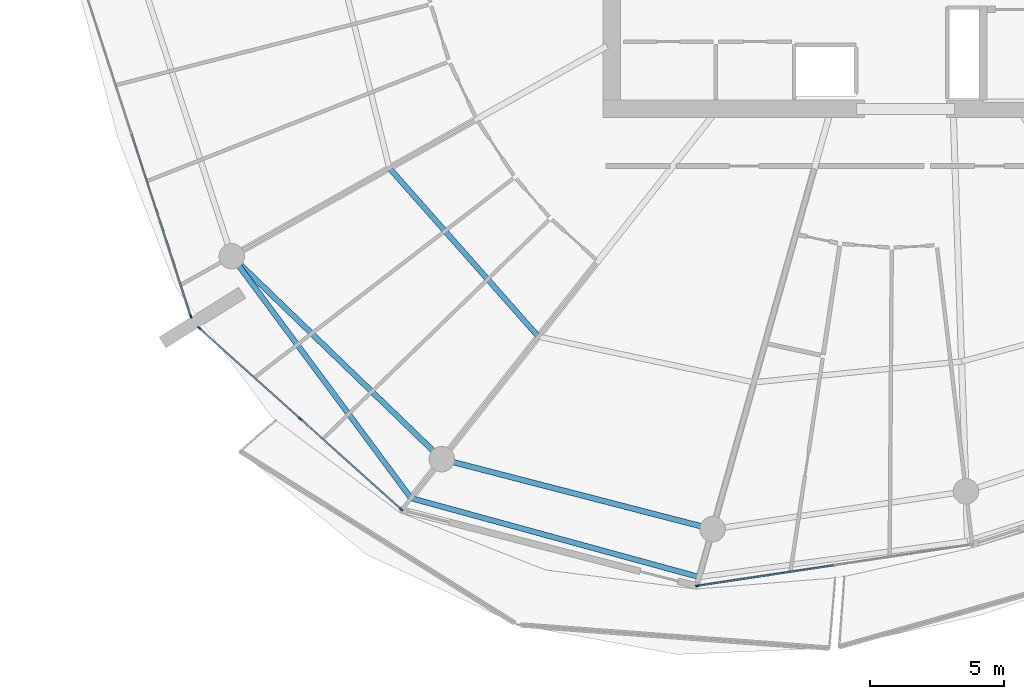
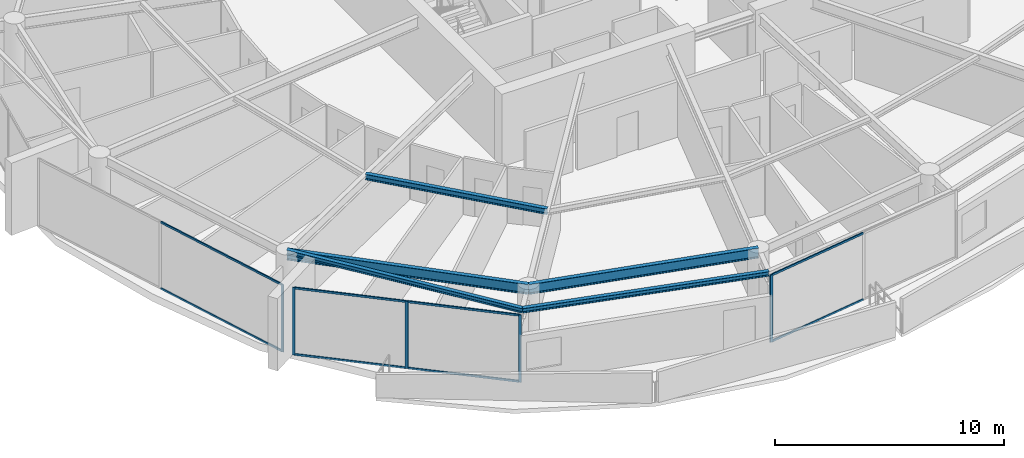
# One storey, part 6 of 30: 13 members, 5 beams, 3 elements without a shape of their own.
"""IFC4 building model written with IfcOpenShell, lengths in metres."""

import ifcopenshell
import ifcopenshell.guid

model = None  # the IFC model being written
_history = None  # IfcOwnerHistory: only IFC2X3 demands one
_inside = {}  # id of a spatial element -> (the spatial element, [elements in it])
_under = {}  # id of a project, library or spatial element -> (it, [spatial elements below it])
_declared = {}  # id of a project -> (the project, [libraries it declares])
_typed = {}  # id of a type object -> (the type object, [elements of that type])
_made_of = {}  # id of a material, layer set ... -> (it, [elements and type objects made of it])


def new_model(schema):
    """Start an empty IFC model of exactly this schema.

    Asked for "IFC4X3", IfcOpenShell would pick the latest addendum, in which some entities
    have other attributes; the version numbers below select the first issue.
    IFC2X3 requires an IfcOwnerHistory on every rooted entity: one is made here for all.
    """
    global model, _history
    if schema == "IFC4X3":
        model = ifcopenshell.file(schema_version=(4, 3, 0, 0))
    else:
        model = ifcopenshell.file(schema=schema)
    _inside.clear()
    _under.clear()
    _declared.clear()
    _typed.clear()
    _made_of.clear()
    _history = None
    if model.schema == "IFC2X3":
        org = make("IfcOrganization", Name="unknown")
        user = make(
            "IfcPersonAndOrganization",
            ThePerson=make("IfcPerson", FamilyName="unknown"),
            TheOrganization=org,
        )
        app = make(
            "IfcApplication",
            ApplicationDeveloper=org,
            Version="unknown",
            ApplicationFullName="unknown",
            ApplicationIdentifier="unknown",
        )
        _history = make(
            "IfcOwnerHistory",
            OwningUser=user,
            OwningApplication=app,
            ChangeAction="ADDED",
            CreationDate=0,
        )
    return model


def make(cls, **values):
    """One entity of the class cls with the attributes given. An attribute that is None is left unset."""
    return model.create_entity(
        cls, **{name: value for name, value in values.items() if value is not None}
    )


def rooted(cls, **values):
    """An entity with a GlobalId (a new one), such as an element, a storey or a relation."""
    return make(cls, GlobalId=ifcopenshell.guid.new(), OwnerHistory=_history, **values)


def si_unit(unit_type, name, prefix=None):
    """IfcSIUnit, for example si_unit("LENGTHUNIT", "METRE", prefix="MILLI")."""
    return make("IfcSIUnit", UnitType=unit_type, Prefix=prefix, Name=name)


def assignment(units):
    """IfcUnitAssignment: the units of a project."""
    return None if units is None else make("IfcUnitAssignment", Units=units)


def point(xyz):
    """IfcCartesianPoint."""
    return None if xyz is None else make("IfcCartesianPoint", Coordinates=xyz)


def direction(xyz):
    """IfcDirection."""
    return None if xyz is None else make("IfcDirection", DirectionRatios=xyz)


def frame(location, z_axis=None, x_axis=None):
    """IfcAxis2Placement3D, a coordinate frame: its origin and axes. An axis left out is left unset."""
    return make(
        "IfcAxis2Placement3D",
        Location=point(location),
        Axis=direction(z_axis),
        RefDirection=direction(x_axis),
    )


def frame_2d(location, x_axis=None):
    """IfcAxis2Placement2D, a coordinate frame in the plane: its origin and x axis."""
    return make(
        "IfcAxis2Placement2D", Location=point(location), RefDirection=direction(x_axis)
    )


def origin():
    """The frame at (0, 0, 0) with its axes left unset."""
    return frame((0.0, 0.0, 0.0))


def origin_2d():
    """The frame at (0, 0) in the plane with its x axis left unset."""
    return frame_2d((0.0, 0.0))


def place(relative_to, where):
    """IfcLocalPlacement: puts the frame where relative to a parent placement (None: the world)."""
    return make(
        "IfcLocalPlacement", PlacementRelTo=relative_to, RelativePlacement=where
    )


def context(
    kind, dimensions, precision=None, world=None, true_north=None, identifier=None
):
    """IfcGeometricRepresentationContext, for example the 3D "Model" context."""
    return make(
        "IfcGeometricRepresentationContext",
        ContextIdentifier=identifier,
        ContextType=kind,
        CoordinateSpaceDimension=dimensions,
        Precision=precision,
        WorldCoordinateSystem=world,
        TrueNorth=true_north,
    )


def subcontext(parent, identifier, kind, view, scale=None):
    """IfcGeometricRepresentationSubContext, for example "Body" below "Model"."""
    return make(
        "IfcGeometricRepresentationSubContext",
        ContextIdentifier=identifier,
        ContextType=kind,
        ParentContext=parent,
        TargetScale=scale,
        TargetView=view,
    )


def project(units=None, contexts=None):
    """IfcProject with its units and contexts."""
    return rooted(
        "IfcProject",
        Name="project",
        RepresentationContexts=contexts,
        UnitsInContext=assignment(units),
    )


def spatial(cls, under=None, at=None, **own):
    """A site, building, storey or space (cls), placed at a placement, below another one or the project."""
    s = rooted(cls, ObjectPlacement=at, **own)
    if under is not None:
        _under.setdefault(under.id(), (under, []))[1].append(s)
    return s


def profile(cls, at=None, kind="AREA", **sizes):
    """A parametric profile (cls). Its sizes go by their IFC names, for example OverallWidth=200.0."""
    return make(cls, ProfileType=kind, Position=at, **sizes)


def rectangle(**sizes):
    """IfcRectangleProfileDef."""
    return profile("IfcRectangleProfileDef", **sizes)


def i_section(**sizes):
    """IfcIShapeProfileDef."""
    return profile("IfcIShapeProfileDef", **sizes)


def extrude(swept, where, along, depth):
    """IfcExtrudedAreaSolid: the profile swept, set in the frame where, extruded along a direction by depth."""
    return make(
        "IfcExtrudedAreaSolid",
        SweptArea=swept,
        Position=where,
        ExtrudedDirection=direction(along),
        Depth=depth,
    )


def shape(context_of_items, identifier, shape_type, items):
    """IfcShapeRepresentation: the items that make up one representation, for example the "Body"."""
    return make(
        "IfcShapeRepresentation",
        ContextOfItems=context_of_items,
        RepresentationIdentifier=identifier,
        RepresentationType=shape_type,
        Items=items,
    )


def material(Name=None, Category=None):
    """IfcMaterial."""
    return make("IfcMaterial", Name=Name, Category=Category)


def layer(
    of_material, thickness, ventilated=None, Name=None, Category=None, Priority=None
):
    """IfcMaterialLayer: one layer of a wall or slab, of a material (None: an air gap)."""
    return make(
        "IfcMaterialLayer",
        Material=of_material,
        LayerThickness=thickness,
        IsVentilated=ventilated,
        Name=Name,
        Category=Category,
        Priority=Priority,
    )


def layer_set(layers, Name=None):
    """IfcMaterialLayerSet."""
    return make("IfcMaterialLayerSet", MaterialLayers=layers, LayerSetName=Name)


def material_profile(
    of_material, cross_section, Name=None, Category=None, Priority=None
):
    """IfcMaterialProfile: a cross section and its material."""
    return make(
        "IfcMaterialProfile",
        Name=Name,
        Material=of_material,
        Profile=cross_section,
        Priority=Priority,
        Category=Category,
    )


def profile_set(profiles, Name=None, composite=None):
    """IfcMaterialProfileSet."""
    return make(
        "IfcMaterialProfileSet",
        Name=Name,
        MaterialProfiles=profiles,
        CompositeProfile=composite,
    )


def made_of(thing, what):
    """Note that an element or type object is made of a material, layer set ...; save() writes the relation."""
    if what is not None:
        _made_of.setdefault(what.id(), (what, []))[1].append(thing)
    return thing


def type_object(cls, material=None, **own):
    """A type object (cls), such as IfcWallType, which elements share."""
    return made_of(rooted(cls, **own), material)


def element(
    cls,
    number,
    at=None,
    inside=None,
    cuts=None,
    type_object=None,
    material=None,
    context=None,
    identifier="Body",
    shape_type=None,
    held_by="IfcProductDefinitionShape",
    body=None,
    shapes=None,
    **own,
):
    """One element of the class cls, such as IfcWall. Its Tag is "e" and its number.

    at: its placement. inside: the storey or other place that contains it. cuts: it is an
    opening in that element (IfcRelVoidsElement). A single representation is given by context,
    identifier, shape_type and body (its items); several are given by shapes. held_by: the class
    of the entity that holds the representations. save() writes the other relations.
    """
    e = rooted(cls, Tag="e%d" % number, ObjectPlacement=at, **own)
    if body is not None:
        shapes = [shape(context, identifier, shape_type, body)]
    if shapes is not None:
        e.Representation = make(held_by, Representations=shapes)
    if inside is not None:
        _inside.setdefault(inside.id(), (inside, []))[1].append(e)
    if cuts is not None:
        rooted(
            "IfcRelVoidsElement", RelatingBuildingElement=cuts, RelatedOpeningElement=e
        )
    if type_object is not None:
        _typed.setdefault(type_object.id(), (type_object, []))[1].append(e)
    return made_of(e, material)


def aggregate(whole, parts):
    """IfcRelAggregates: a whole, such as a stair, and the parts it consists of."""
    return rooted("IfcRelAggregates", RelatingObject=whole, RelatedObjects=parts)


def save(model, path):
    """Write the relations noted so far, then the file.

    IfcRelAggregates (storeys below a building ...), IfcRelContainedInSpatialStructure (elements
    in a storey), IfcRelDefinesByType, IfcRelAssociatesMaterial and IfcRelDeclares: one each for
    every whole, place, type object, material and project.
    """
    for whole, parts in _under.values():
        aggregate(whole, parts)
    for where, things in _inside.values():
        rooted(
            "IfcRelContainedInSpatialStructure",
            RelatedElements=things,
            RelatingStructure=where,
        )
    for kind, things in _typed.values():
        rooted("IfcRelDefinesByType", RelatedObjects=things, RelatingType=kind)
    for what, things in _made_of.values():
        rooted("IfcRelAssociatesMaterial", RelatedObjects=things, RelatingMaterial=what)
    for by, libraries in _declared.values():
        rooted("IfcRelDeclares", RelatingContext=by, RelatedDefinitions=libraries)
    model.write(path)


model = new_model("IFC4")

# Units and contexts
model_context = context("Model", 3, precision=1e-05, world=origin(), true_north=direction((0.0, 1.0)))
body_context = subcontext(model_context, "Body", "Model", "MODEL_VIEW")
ifc_project = project(units=[si_unit("LENGTHUNIT", "METRE"), si_unit("AREAUNIT", "SQUARE_METRE"), si_unit("VOLUMEUNIT", "CUBIC_METRE"), si_unit("PLANEANGLEUNIT", "RADIAN"), si_unit("MASSUNIT", "GRAM", prefix="KILO")], contexts=[model_context])

# Site, building, storey
site_placement = place(None, origin())
site = spatial("IfcSite", under=ifc_project, at=site_placement, CompositionType="ELEMENT")
building_placement = place(site_placement, origin())
building = spatial("IfcBuilding", under=site, at=building_placement, Name="Kazma Halo Residences", CompositionType="ELEMENT")
storey_placement = place(building_placement, frame((0.0, 0.0, 236.699951171875)))
storey = spatial("IfcBuildingStorey", under=building, at=storey_placement, Name="L59", CompositionType="ELEMENT", Elevation=236.699951171875)

# Beams
ifc_material_1 = material(Name="Steel S355", Category="steel")
ifc_material_profile_1 = material_profile(ifc_material_1, i_section(OverallWidth=0.201904296875, OverallDepth=0.2470703125, WebThickness=0.00732421875, FlangeThickness=0.010986328125, FilletRadius=0.011962890625, at=origin_2d()), Name="W250x49.1")
ifc_profile_set_1 = profile_set([ifc_material_profile_1], Name="Steel S355")
beam_type_1 = type_object("IfcBeamType", Name="BM-BAL-CANT", PredefinedType="BEAM", material=ifc_profile_set_1)
beam_1_placement = place(storey_placement, frame((23.32958984375, 28.18408203125, 3.466552734375), z_axis=(0.595556062515, -0.803313747176, 0.0), x_axis=(0.803313747176, 0.595556062515, 0.0)))
element("IfcBeam", 1, at=beam_1_placement, inside=storey, type_object=beam_type_1, Name="L59 wave-balcony lead tie beam 09", PredefinedType="BEAM", context=body_context, shape_type="SweptSolid", body=[
    extrude(i_section(OverallWidth=0.201904296875, OverallDepth=0.2470703125, WebThickness=0.00732421875, FlangeThickness=0.010986328125, FilletRadius=0.011962890625, at=origin_2d()), origin(), (0.0, 0.0, 1.0), 11.213134765625),
])
beam_2_placement = place(storey_placement, frame((30.007568359375, 19.176513671875, 3.466552734375), z_axis=(0.964514665976, -0.264029277006, 0.0), x_axis=(0.264029277006, 0.964514665976, 0.0)))
element("IfcBeam", 2, at=beam_2_placement, inside=storey, type_object=beam_type_1, Name="L59 wave-balcony tie beam 10", PredefinedType="BEAM", context=body_context, shape_type="SweptSolid", body=[
    extrude(i_section(OverallWidth=0.201904296875, OverallDepth=0.2470703125, WebThickness=0.00732421875, FlangeThickness=0.010986328125, FilletRadius=0.011962890625, at=origin_2d()), origin(), (0.0, 0.0, 1.0), 11.1220703125),
])
ifc_material_profile_2 = material_profile(ifc_material_1, i_section(OverallWidth=0.202880859375, OverallDepth=0.302978515625, WebThickness=0.007568359375, FlangeThickness=0.01318359375, FilletRadius=0.013916015625, at=origin_2d()), Name="W310x60")
ifc_profile_set_2 = profile_set([ifc_material_profile_2], Name="Steel S355")
beam_type_2 = type_object("IfcBeamType", Name="BM-SEC-W310A", PredefinedType="JOIST", material=ifc_profile_set_2)
beam_3_placement = place(storey_placement, frame((29.197265625, 31.469970703125, 3.4384765625), z_axis=(0.662539311942, -0.749027142453, 0.0), x_axis=(0.749027142453, 0.662539311942, 0.0)))
element("IfcBeam", 3, at=beam_3_placement, inside=storey, type_object=beam_type_2, Name="L59 circumferential floor joist 09", PredefinedType="JOIST", context=body_context, shape_type="SweptSolid", body=[
    extrude(i_section(OverallWidth=0.202880859375, OverallDepth=0.302978515625, WebThickness=0.007568359375, FlangeThickness=0.01318359375, FilletRadius=0.013916015625, at=origin_2d()), origin(), (0.0, 0.0, 1.0), 8.381103515625),
])
ifc_material_profile_3 = material_profile(ifc_material_1, i_section(OverallWidth=0.208984375, OverallDepth=0.532958984375, WebThickness=0.01025390625, FlangeThickness=0.015625, FilletRadius=0.01611328125, at=origin_2d()), Name="W530x92")
ifc_profile_set_3 = profile_set([ifc_material_profile_3], Name="Steel S355")
beam_type_3 = type_object("IfcBeamType", Name="BM-SPN-W530", PredefinedType="BEAM", material=ifc_profile_set_3)
beam_4_placement = place(storey_placement, frame((23.32958984375, 28.18408203125, 3.323486328125), z_axis=(0.719345757929, -0.694652201141, 0.0), x_axis=(0.694652201141, 0.719345757929, 0.0)))
element("IfcBeam", 4, at=beam_4_placement, inside=storey, type_object=beam_type_3, Name="L59 perimeter ring beam 09", PredefinedType="BEAM", context=body_context, shape_type="SweptSolid", body=[
    extrude(i_section(OverallWidth=0.208984375, OverallDepth=0.532958984375, WebThickness=0.01025390625, FlangeThickness=0.015625, FilletRadius=0.01611328125, at=origin_2d()), origin(), (0.0, 0.0, 1.0), 10.87548828125),
])
beam_5_placement = place(storey_placement, frame((31.15283203125, 20.62939453125, 3.323486328125), z_axis=(0.968126042852, -0.250463500639, 0.0), x_axis=(0.250463500639, 0.968126042852, 0.0)))
element("IfcBeam", 5, at=beam_5_placement, inside=storey, type_object=beam_type_3, Name="L59 perimeter ring beam 10", PredefinedType="BEAM", context=body_context, shape_type="SweptSolid", body=[
    extrude(i_section(OverallWidth=0.208984375, OverallDepth=0.532958984375, WebThickness=0.01025390625, FlangeThickness=0.015625, FilletRadius=0.01611328125, at=origin_2d()), origin(), (0.0, 0.0, 1.0), 10.416259765625),
])

# Curtain wall, member
ifc_material_2 = material(Name="Aluminium AW-6063 T6 and Triple-Silver Low-E Glass", Category="aluminium")
ifc_layer = layer(ifc_material_2, 0.139892578125)
ifc_layer_set = layer_set([ifc_layer], Name="Aluminium AW-6063 T6 and Triple-Silver Low-E Glass")
curtain_wall_type = type_object("IfcCurtainWallType", Name="CW-SYS-5", PredefinedType="NOTDEFINED", material=ifc_layer_set)
curtain_wall_1_placement = place(storey_placement, origin())
curtain_wall_1 = element("IfcCurtainWall", 6, at=curtain_wall_1_placement, inside=storey, type_object=curtain_wall_type, Name="L59 unitised curtain wall B08", PredefinedType="NOTDEFINED")
ifc_material_3 = material(Name="Aluminium AW-6063 T6", Category="aluminium")
ifc_material_profile_4 = material_profile(ifc_material_3, rectangle(XDim=0.06005859375, YDim=0.139892578125, at=origin_2d()), Name="CWM-60x140")
ifc_profile_set_4 = profile_set([ifc_material_profile_4], Name="Aluminium AW-6063 T6")
member_type_1 = type_object("IfcMemberType", Name="CW-SYS-5-MUL", PredefinedType="MULLION", material=ifc_profile_set_4)
member_1_placement = place(storey_placement, frame((21.8076171875, 25.9521484375, 0.0), z_axis=(0.0, 0.0, 1.0), x_axis=(0.951058464359, 0.309010998786, 0.0)))
member_1 = element("IfcMember", 7, at=member_1_placement, type_object=member_type_1, Name="CWS-5 mullion 3", PredefinedType="MULLION", context=body_context, shape_type="SweptSolid", body=[
    extrude(rectangle(XDim=0.06005859375, YDim=0.139892578125, at=origin_2d()), origin(), (0.0, 0.0, 1.0), 3.590087890625),
])

# Curtain wall, members
curtain_wall_2_placement = place(storey_placement, origin())
curtain_wall_2 = element("IfcCurtainWall", 8, at=curtain_wall_2_placement, inside=storey, type_object=curtain_wall_type, Name="L59 unitised curtain wall B09", PredefinedType="NOTDEFINED")
member_2_placement = place(storey_placement, frame((22.11669921875, 25.508056640625, 0.0), z_axis=(0.0, 0.0, 1.0), x_axis=(0.667804826958, 0.744336424671, 0.0)))
member_2 = element("IfcMember", 9, at=member_2_placement, type_object=member_type_1, Name="CWS-5 mullion 1", PredefinedType="MULLION", context=body_context, shape_type="SweptSolid", body=[
    extrude(rectangle(XDim=0.06005859375, YDim=0.139892578125, at=origin_2d()), origin(), (0.0, 0.0, 1.0), 3.590087890625),
])
member_3_placement = place(storey_placement, frame((25.878173828125, 22.13330078125, 0.0), z_axis=(0.0, 0.0, 1.0), x_axis=(0.667804826958, 0.744336424671, 0.0)))
member_3 = element("IfcMember", 10, at=member_3_placement, type_object=member_type_1, Name="CWS-5 mullion 2", PredefinedType="MULLION", context=body_context, shape_type="SweptSolid", body=[
    extrude(rectangle(XDim=0.06005859375, YDim=0.139892578125, at=origin_2d()), origin(), (0.0, 0.0, 1.0), 3.590087890625),
])
member_4_placement = place(storey_placement, frame((29.6396484375, 18.758544921875, 0.0), z_axis=(0.0, 0.0, 1.0), x_axis=(0.667804826958, 0.744336424671, 0.0)))
member_4 = element("IfcMember", 11, at=member_4_placement, type_object=member_type_1, Name="CWS-5 mullion 3", PredefinedType="MULLION", context=body_context, shape_type="SweptSolid", body=[
    extrude(rectangle(XDim=0.06005859375, YDim=0.139892578125, at=origin_2d()), origin(), (0.0, 0.0, 1.0), 3.590087890625),
])

# Curtain wall, member
curtain_wall_3_placement = place(storey_placement, origin())
curtain_wall_3 = element("IfcCurtainWall", 12, at=curtain_wall_3_placement, inside=storey, type_object=curtain_wall_type, Name="L59 unitised curtain wall B11", PredefinedType="NOTDEFINED")
member_5_placement = place(storey_placement, frame((40.671142578125, 15.912841796875, 0.0), z_axis=(0.0, 0.0, 1.0), x_axis=(-0.148697080374, 0.988882792998, 0.0)))
member_5 = element("IfcMember", 13, at=member_5_placement, type_object=member_type_1, Name="CWS-5 mullion 1", PredefinedType="MULLION", context=body_context, shape_type="SweptSolid", body=[
    extrude(rectangle(XDim=0.06005859375, YDim=0.139892578125, at=origin_2d()), origin(), (0.0, 0.0, 1.0), 3.590087890625),
])

# Member
ifc_material_profile_5 = material_profile(ifc_material_3, rectangle(XDim=0.06005859375, YDim=0.10498046875, at=origin_2d()), Name="CWT-60x105")
ifc_profile_set_5 = profile_set([ifc_material_profile_5], Name="Aluminium AW-6063 T6")
member_type_2 = type_object("IfcMemberType", Name="CW-SYS-5-TRN", PredefinedType="USERDEFINED", material=ifc_profile_set_5)
member_6_placement = place(storey_placement, frame((19.6015625, 32.7412109375, 0.030029296875), z_axis=(0.309027052142, -0.95105324827, 0.0), x_axis=(0.95105324827, 0.309027052142, 0.0)))
member_6 = element("IfcMember", 14, at=member_6_placement, type_object=member_type_2, Name="CWS-5 transom 2.1", ObjectType="TRANSOM", PredefinedType="USERDEFINED", context=body_context, shape_type="SweptSolid", body=[
    extrude(rectangle(XDim=0.06005859375, YDim=0.10498046875, at=origin_2d()), origin(), (0.0, 0.0, 1.0), 7.108642578125),
])

member_7_placement = place(storey_placement, frame((19.6015625, 32.7412109375, 3.56005859375), z_axis=(0.309027052142, -0.95105324827, 0.0), x_axis=(0.95105324827, 0.309027052142, 0.0)))
member_7 = element("IfcMember", 15, at=member_7_placement, type_object=member_type_2, Name="CWS-5 transom 2.2", ObjectType="TRANSOM", PredefinedType="USERDEFINED", context=body_context, shape_type="SweptSolid", body=[
    extrude(rectangle(XDim=0.06005859375, YDim=0.10498046875, at=origin_2d()), origin(), (0.0, 0.0, 1.0), 7.108642578125),
])

aggregate(curtain_wall_1, [member_1, member_6, member_7])

member_8_placement = place(storey_placement, frame((22.138916015625, 25.488037109375, 0.030029296875), z_axis=(0.744328897483, -0.667813216679, 0.0), x_axis=(0.667813216679, 0.744328897483, 0.0)))
member_8 = element("IfcMember", 16, at=member_8_placement, type_object=member_type_2, Name="CWS-5 transom 1.1", ObjectType="TRANSOM", PredefinedType="USERDEFINED", context=body_context, shape_type="SweptSolid", body=[
    extrude(rectangle(XDim=0.06005859375, YDim=0.10498046875, at=origin_2d()), origin(), (0.0, 0.0, 1.0), 4.993408203125),
])

member_9_placement = place(storey_placement, frame((22.138916015625, 25.488037109375, 3.56005859375), z_axis=(0.744328897483, -0.667813216679, 0.0), x_axis=(0.667813216679, 0.744328897483, 0.0)))
member_9 = element("IfcMember", 17, at=member_9_placement, type_object=member_type_2, Name="CWS-5 transom 1.2", ObjectType="TRANSOM", PredefinedType="USERDEFINED", context=body_context, shape_type="SweptSolid", body=[
    extrude(rectangle(XDim=0.06005859375, YDim=0.10498046875, at=origin_2d()), origin(), (0.0, 0.0, 1.0), 4.993408203125),
])

member_10_placement = place(storey_placement, frame((25.900390625, 22.11328125, 0.030029296875), z_axis=(0.744350700793, -0.667788914425, 0.0), x_axis=(0.667788914425, 0.744350700793, 0.0)))
member_10 = element("IfcMember", 18, at=member_10_placement, type_object=member_type_2, Name="CWS-5 transom 2.1", ObjectType="TRANSOM", PredefinedType="USERDEFINED", context=body_context, shape_type="SweptSolid", body=[
    extrude(rectangle(XDim=0.06005859375, YDim=0.10498046875, at=origin_2d()), origin(), (0.0, 0.0, 1.0), 4.99365234375),
])

member_11_placement = place(storey_placement, frame((25.900390625, 22.11328125, 3.56005859375), z_axis=(0.744350700793, -0.667788914425, 0.0), x_axis=(0.667788914425, 0.744350700793, 0.0)))
member_11 = element("IfcMember", 19, at=member_11_placement, type_object=member_type_2, Name="CWS-5 transom 2.2", ObjectType="TRANSOM", PredefinedType="USERDEFINED", context=body_context, shape_type="SweptSolid", body=[
    extrude(rectangle(XDim=0.06005859375, YDim=0.10498046875, at=origin_2d()), origin(), (0.0, 0.0, 1.0), 4.99365234375),
])

aggregate(curtain_wall_2, [member_2, member_3, member_4, member_8, member_9, member_10, member_11])

member_12_placement = place(storey_placement, frame((40.70068359375, 15.917236328125, 0.030029296875), z_axis=(0.988883972013, 0.148689239341, 0.0), x_axis=(-0.148689239341, 0.988883972013, 0.0)))
member_12 = element("IfcMember", 20, at=member_12_placement, type_object=member_type_2, Name="CWS-5 transom 1.1", ObjectType="TRANSOM", PredefinedType="USERDEFINED", context=body_context, shape_type="SweptSolid", body=[
    extrude(rectangle(XDim=0.06005859375, YDim=0.10498046875, at=origin_2d()), origin(), (0.0, 0.0, 1.0), 5.099853515625),
])

member_13_placement = place(storey_placement, frame((40.70068359375, 15.917236328125, 3.56005859375), z_axis=(0.988883972013, 0.148689239341, 0.0), x_axis=(-0.148689239341, 0.988883972013, 0.0)))
member_13 = element("IfcMember", 21, at=member_13_placement, type_object=member_type_2, Name="CWS-5 transom 1.2", ObjectType="TRANSOM", PredefinedType="USERDEFINED", context=body_context, shape_type="SweptSolid", body=[
    extrude(rectangle(XDim=0.06005859375, YDim=0.10498046875, at=origin_2d()), origin(), (0.0, 0.0, 1.0), 5.099853515625),
])

aggregate(curtain_wall_3, [member_5, member_12, member_13])

save(model, "model.ifc")
